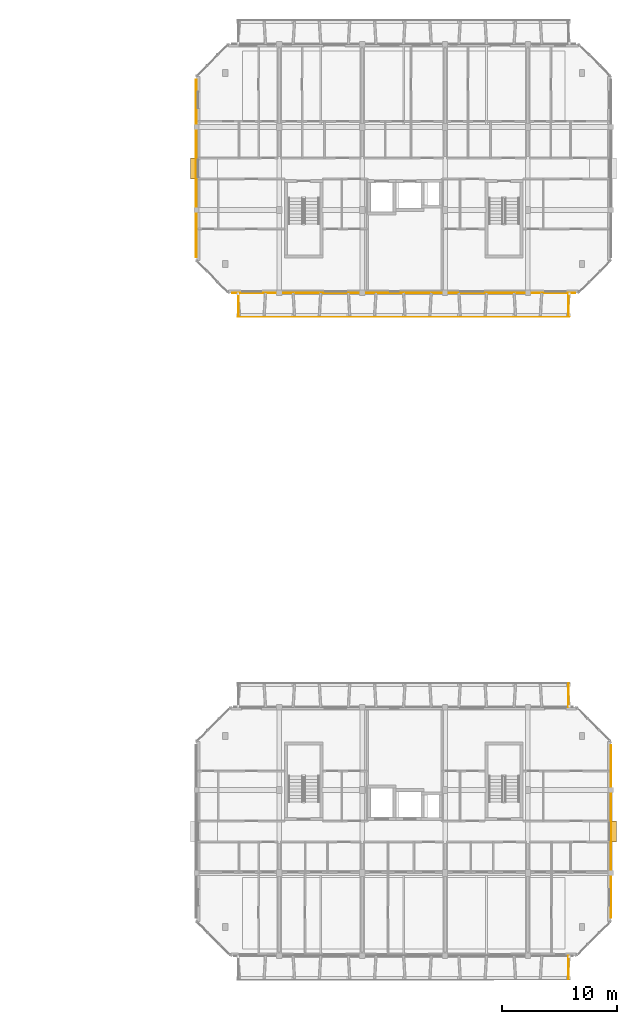
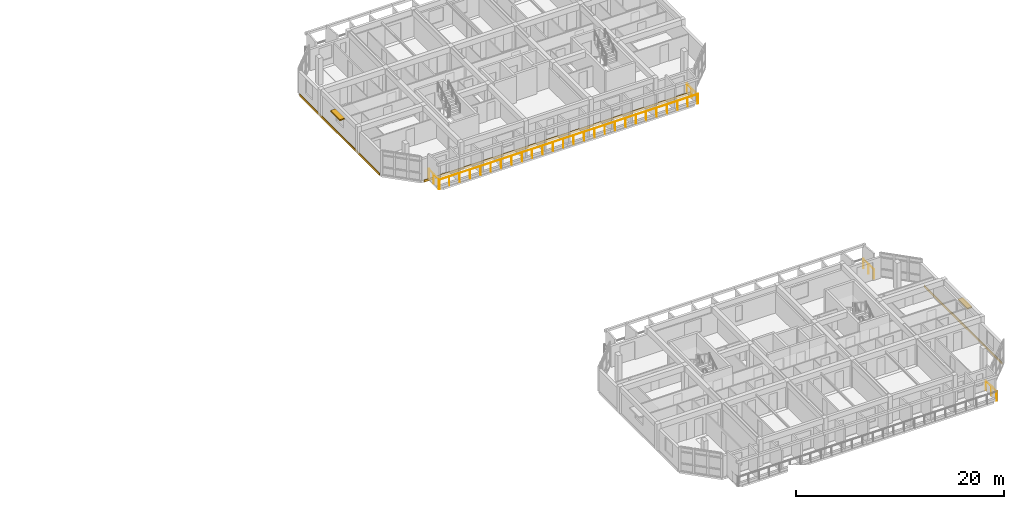
# One storey, part 41 of 43: 5 railings, 3 coverings, 2 shading devices.
"""IFC4 building model written with IfcOpenShell, lengths in metres."""

from ifc_helpers import new_model, si_unit, direction, frame, origin, origin_2d, place, context, subcontext, project, spatial, rectangle, circle, extrude, material, layer, layer_set, type_object, element, save


model = new_model("IFC4")

# Units and contexts
model_context = context("Model", 3, precision=1e-05, world=origin(), true_north=direction((0.0, 1.0)))
body_context = subcontext(model_context, "Body", "Model", "MODEL_VIEW")
ifc_project = project(units=[si_unit("LENGTHUNIT", "METRE"), si_unit("AREAUNIT", "SQUARE_METRE"), si_unit("VOLUMEUNIT", "CUBIC_METRE"), si_unit("PLANEANGLEUNIT", "RADIAN"), si_unit("MASSUNIT", "GRAM", prefix="KILO")], contexts=[model_context])

# Site, building, storey
site_placement = place(None, origin())
site = spatial("IfcSite", under=ifc_project, at=site_placement, CompositionType="ELEMENT")
building_placement = place(site_placement, origin())
building = spatial("IfcBuilding", under=site, at=building_placement, Name="Ochrevale Crest", CompositionType="ELEMENT")
storey_placement = place(building_placement, frame((0.0, 0.0, 30.75)))
storey = spatial("IfcBuildingStorey", under=building, at=storey_placement, Name="L09", CompositionType="ELEMENT", Elevation=30.75)

# Coverings
ifc_material_1 = material(Name="Glazed terracotta rainscreen tile", Category="masonry")
ifc_layer = layer(ifc_material_1, 0.048095703125)
ifc_layer_set = layer_set([ifc_layer], Name="Glazed terracotta rainscreen tile")
covering_type = type_object("IfcCoveringType", Name="COV-CLAD-TER", PredefinedType="CLADDING", material=ifc_layer_set)
covering_1_placement = place(storey_placement, frame((165.614501953125, 25.199951171875, -0.26025390625), z_axis=(0.0, 0.0, 1.0), x_axis=(0.0, 1.0, 0.0)))
element("IfcCovering", 1, at=covering_1_placement, inside=storey, type_object=covering_type, Name="Block C L09 terracotta slab-edge spandrel cladding", PredefinedType="CLADDING", context=body_context, shape_type="SweptSolid", body=[
    extrude(rectangle(XDim=15.0, YDim=0.06005859375, at=origin_2d()), origin(), (0.0, 0.0, 1.0), 0.280029296875),
])
covering_2_placement = place(storey_placement, frame((147.60009765625, 71.987548828125, -0.26025390625), z_axis=(0.0, 0.0, 1.0), x_axis=(1.0, 0.0, 0.0)))
element("IfcCovering", 2, at=covering_2_placement, inside=storey, type_object=covering_type, Name="Block D L09 terracotta slab-edge spandrel cladding", PredefinedType="CLADDING", context=body_context, shape_type="SweptSolid", body=[
    extrude(rectangle(XDim=29.800048828125, YDim=0.06005859375, at=origin_2d()), origin(), (0.0, 0.0, 1.0), 0.280029296875),
])
covering_3_placement = place(storey_placement, frame((129.58544921875, 82.800048828125, -0.26025390625), z_axis=(0.0, 0.0, 1.0), x_axis=(0.0, -1.0, 0.0)))
element("IfcCovering", 3, at=covering_3_placement, inside=storey, type_object=covering_type, Name="Block D L09 terracotta slab-edge spandrel cladding", PredefinedType="CLADDING", context=body_context, shape_type="SweptSolid", body=[
    extrude(rectangle(XDim=15.39990234375, YDim=0.06005859375, at=origin_2d()), origin(), (0.0, 0.0, 1.0), 0.280029296875),
])

# Railings
ifc_material_2 = material(Name="Galvanised steel", Category="steel")
railing_type = type_object("IfcRailingType", Name="RL-BAL-1100", PredefinedType="BALUSTRADE", material=ifc_material_2)
railing_1_placement = place(storey_placement, frame((161.93994140625, 14.39990234375, 0.0)))
element("IfcRailing", 4, at=railing_1_placement, inside=storey, type_object=railing_type, Name="Block C L09 S-E balcony side guard", PredefinedType="BALUSTRADE", context=body_context, shape_type="SweptSolid", body=[
    extrude(circle(Radius=0.02392578125, at=origin_2d()), frame((0.0, 0.0, 1.0859375), z_axis=(0.0, -1.0, 0.0), x_axis=(1.0, 0.0, 0.0)), (0.0, 0.0, 1.0), 2.039794921875),
    extrude(circle(Radius=0.02099609375, at=origin_2d()), origin(), (0.0, 0.0, 1.0), 1.06201171875),
    extrude(circle(Radius=0.02099609375, at=origin_2d()), frame((0.0, -1.02001953125, 0.0)), (0.0, 0.0, 1.0), 1.06201171875),
    extrude(circle(Radius=0.02099609375, at=origin_2d()), frame((0.0, -2.039794921875, 0.0)), (0.0, 0.0, 1.0), 1.06201171875),
])
railing_2_placement = place(storey_placement, frame((161.93994140625, 36.0, 0.0)))
element("IfcRailing", 5, at=railing_2_placement, inside=storey, type_object=railing_type, Name="Block C L09 N-E balcony side guard", PredefinedType="BALUSTRADE", context=body_context, shape_type="SweptSolid", body=[
    extrude(circle(Radius=0.02392578125, at=origin_2d()), frame((0.0, 0.0, 1.0859375), z_axis=(0.0, 1.0, 0.0), x_axis=(-1.0, 0.0, 0.0)), (0.0, 0.0, 1.0), 2.0400390625),
    extrude(circle(Radius=0.02099609375, at=origin_2d()), origin(), (0.0, 0.0, 1.0), 1.06201171875),
    extrude(circle(Radius=0.02099609375, at=origin_2d()), frame((0.0, 1.02001953125, 0.0)), (0.0, 0.0, 1.0), 1.06201171875),
    extrude(circle(Radius=0.02099609375, at=origin_2d()), frame((0.0, 2.0400390625, 0.0)), (0.0, 0.0, 1.0), 1.06201171875),
])
railing_3_placement = place(storey_placement, frame((133.199951171875, 69.9599609375, 0.0)))
element("IfcRailing", 6, at=railing_3_placement, inside=storey, type_object=railing_type, Name="Block D L09 S balcony front balustrade", PredefinedType="BALUSTRADE", context=body_context, shape_type="SweptSolid", body=[
    extrude(circle(Radius=0.02392578125, at=origin_2d()), frame((0.0, 0.0, 1.0859375), z_axis=(1.0, 0.0, 0.0), x_axis=(0.0, 1.0, 0.0)), (0.0, 0.0, 1.0), 28.800048828125),
    extrude(circle(Radius=0.02099609375, at=origin_2d()), origin(), (0.0, 0.0, 1.0), 1.06201171875),
    extrude(circle(Radius=0.02099609375, at=origin_2d()), frame((1.152099609375, 0.0, 0.0)), (0.0, 0.0, 1.0), 1.06201171875),
    extrude(circle(Radius=0.02099609375, at=origin_2d()), frame((2.303955078125, 0.0, 0.0)), (0.0, 0.0, 1.0), 1.06201171875),
    extrude(circle(Radius=0.02099609375, at=origin_2d()), frame((3.4560546875, 0.0, 0.0)), (0.0, 0.0, 1.0), 1.06201171875),
    extrude(circle(Radius=0.02099609375, at=origin_2d()), frame((4.60791015625, 0.0, 0.0)), (0.0, 0.0, 1.0), 1.06201171875),
    extrude(circle(Radius=0.02099609375, at=origin_2d()), frame((5.760009765625, 0.0, 0.0)), (0.0, 0.0, 1.0), 1.06201171875),
    extrude(circle(Radius=0.02099609375, at=origin_2d()), frame((6.912109375, 0.0, 0.0)), (0.0, 0.0, 1.0), 1.06201171875),
    extrude(circle(Radius=0.02099609375, at=origin_2d()), frame((8.06396484375, 0.0, 0.0)), (0.0, 0.0, 1.0), 1.06201171875),
    extrude(circle(Radius=0.02099609375, at=origin_2d()), frame((9.216064453125, 0.0, 0.0)), (0.0, 0.0, 1.0), 1.06201171875),
    extrude(circle(Radius=0.02099609375, at=origin_2d()), frame((10.367919921875, 0.0, 0.0)), (0.0, 0.0, 1.0), 1.06201171875),
    extrude(circle(Radius=0.02099609375, at=origin_2d()), frame((11.52001953125, 0.0, 0.0)), (0.0, 0.0, 1.0), 1.06201171875),
    extrude(circle(Radius=0.02099609375, at=origin_2d()), frame((12.672119140625, 0.0, 0.0)), (0.0, 0.0, 1.0), 1.06201171875),
    extrude(circle(Radius=0.02099609375, at=origin_2d()), frame((13.823974609375, 0.0, 0.0)), (0.0, 0.0, 1.0), 1.06201171875),
    extrude(circle(Radius=0.02099609375, at=origin_2d()), frame((14.97607421875, 0.0, 0.0)), (0.0, 0.0, 1.0), 1.06201171875),
    extrude(circle(Radius=0.02099609375, at=origin_2d()), frame((16.1279296875, 0.0, 0.0)), (0.0, 0.0, 1.0), 1.06201171875),
    extrude(circle(Radius=0.02099609375, at=origin_2d()), frame((17.280029296875, 0.0, 0.0)), (0.0, 0.0, 1.0), 1.06201171875),
    extrude(circle(Radius=0.02099609375, at=origin_2d()), frame((18.43212890625, 0.0, 0.0)), (0.0, 0.0, 1.0), 1.06201171875),
    extrude(circle(Radius=0.02099609375, at=origin_2d()), frame((19.583984375, 0.0, 0.0)), (0.0, 0.0, 1.0), 1.06201171875),
    extrude(circle(Radius=0.02099609375, at=origin_2d()), frame((20.736083984375, 0.0, 0.0)), (0.0, 0.0, 1.0), 1.06201171875),
    extrude(circle(Radius=0.02099609375, at=origin_2d()), frame((21.887939453125, 0.0, 0.0)), (0.0, 0.0, 1.0), 1.06201171875),
    extrude(circle(Radius=0.02099609375, at=origin_2d()), frame((23.0400390625, 0.0, 0.0)), (0.0, 0.0, 1.0), 1.06201171875),
    extrude(circle(Radius=0.02099609375, at=origin_2d()), frame((24.192138671875, 0.0, 0.0)), (0.0, 0.0, 1.0), 1.06201171875),
    extrude(circle(Radius=0.02099609375, at=origin_2d()), frame((25.343994140625, 0.0, 0.0)), (0.0, 0.0, 1.0), 1.06201171875),
    extrude(circle(Radius=0.02099609375, at=origin_2d()), frame((26.49609375, 0.0, 0.0)), (0.0, 0.0, 1.0), 1.06201171875),
    extrude(circle(Radius=0.02099609375, at=origin_2d()), frame((27.64794921875, 0.0, 0.0)), (0.0, 0.0, 1.0), 1.06201171875),
    extrude(circle(Radius=0.02099609375, at=origin_2d()), frame((28.800048828125, 0.0, 0.0)), (0.0, 0.0, 1.0), 1.06201171875),
])
for number, where, name in (
    (7, (133.260009765625, 72.0, 0.0), "Block D L09 S-W balcony side guard"),
    (8, (161.93994140625, 72.0, 0.0), "Block D L09 S-E balcony side guard"),
):
    element("IfcRailing", number, at=place(storey_placement, frame(where)), inside=storey, type_object=railing_type, Name=name, PredefinedType="BALUSTRADE", context=body_context, shape_type="SweptSolid", body=[
        extrude(circle(Radius=0.02392578125, at=origin_2d()), frame((0.0, 0.0, 1.0859375), z_axis=(0.0, -1.0, 0.0), x_axis=(1.0, 0.0, 0.0)), (0.0, 0.0, 1.0), 2.0400390625),
        extrude(circle(Radius=0.02099609375, at=origin_2d()), origin(), (0.0, 0.0, 1.0), 1.06201171875),
        extrude(circle(Radius=0.02099609375, at=origin_2d()), frame((0.0, -1.02001953125, 0.0)), (0.0, 0.0, 1.0), 1.06201171875),
        extrude(circle(Radius=0.02099609375, at=origin_2d()), frame((0.0, -2.0400390625, 0.0)), (0.0, 0.0, 1.0), 1.06201171875),
    ])

# Shading devices
ifc_material_3 = material(Name="Anodised aluminium 6063-T5", Category="aluminium")
shading_device_type = type_object("IfcShadingDeviceType", Name="SHD-SUNSHADE-OC", PredefinedType="USERDEFINED", material=ifc_material_3)
for number, where, z_axis, x_axis, name in (
    (9, (165.840087890625, 25.199951171875, 2.2099609375), (0.0, 0.0, 1.0), (1.0, 0.0, 0.0), "Block C L09 gable window sunshade E"),
    (10, (129.360107421875, 82.800048828125, 2.2099609375), (0.0, 0.0, 1.0), (1.0, 0.0, 0.0), "Block D L09 gable window sunshade W"),
):
    element("IfcShadingDevice", number, at=place(storey_placement, frame(where, z_axis=z_axis, x_axis=x_axis)), inside=storey, type_object=shading_device_type, Name=name, ObjectType="HORIZONTAL SUNSHADE", PredefinedType="USERDEFINED", context=body_context, shape_type="SweptSolid", body=[
        extrude(rectangle(XDim=0.550048828125, YDim=1.800048828125, at=origin_2d()), origin(), (0.0, 0.0, 1.0), 0.139892578125),
    ])

save(model, "model.ifc")
